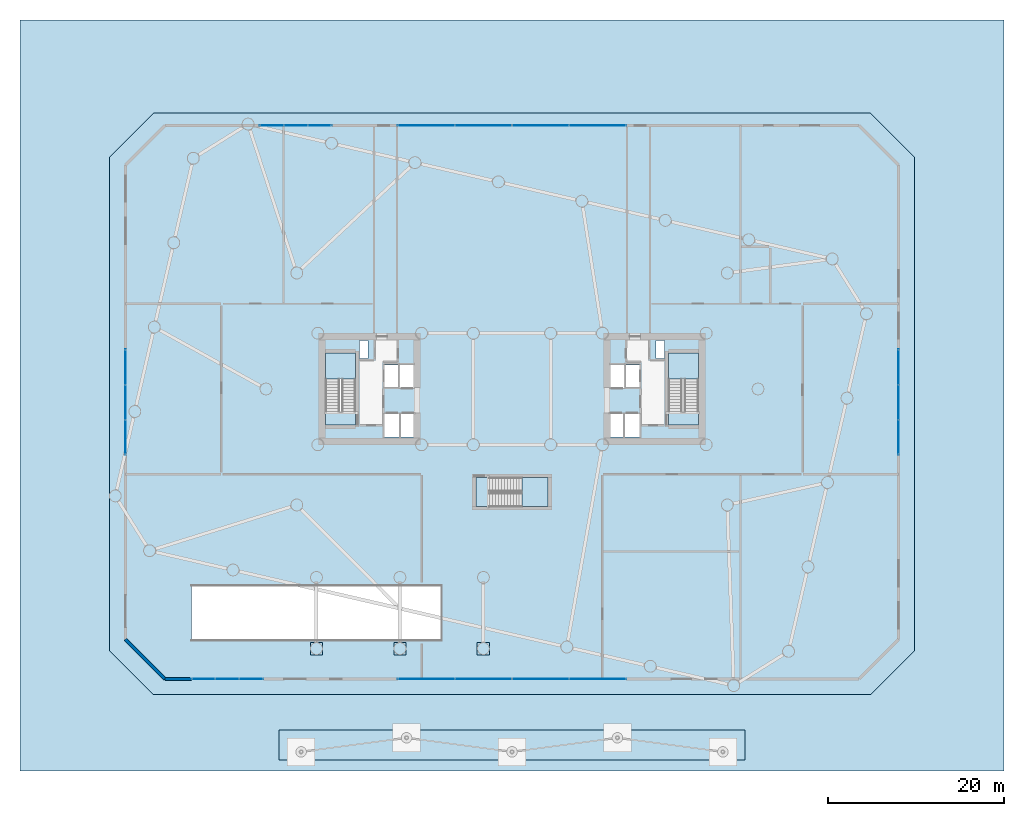
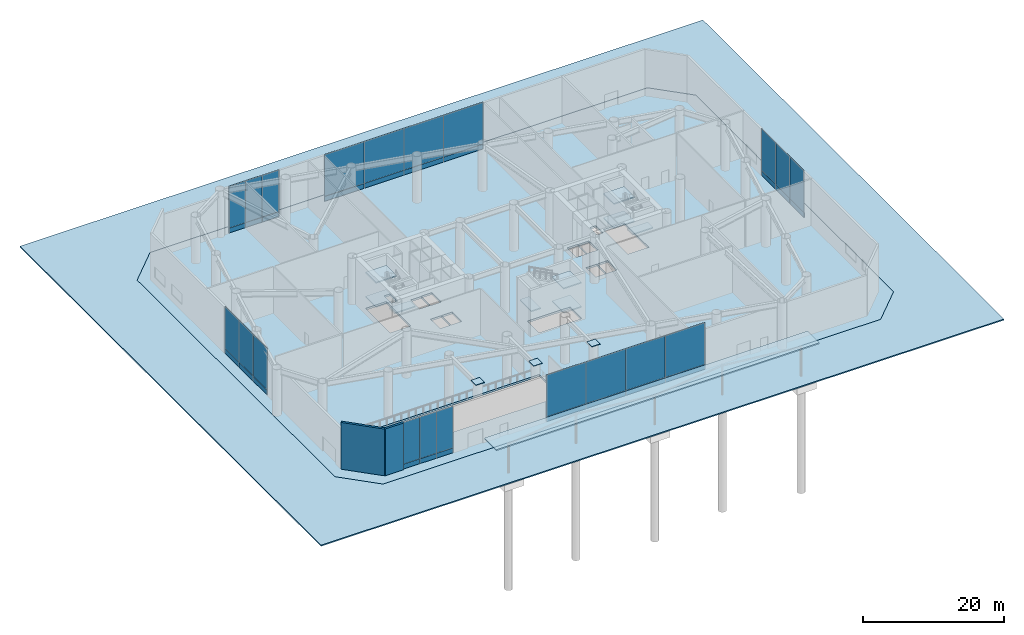
# One storey, part 19 of 28: 43 plates, 12 slabs, 2 walls, 9 elements without a shape of their own.
"""IFC4 building model written with IfcOpenShell, lengths in metres."""

import ifcopenshell
import ifcopenshell.guid

model = None  # the IFC model being written
_history = None  # IfcOwnerHistory: only IFC2X3 demands one
_inside = {}  # id of a spatial element -> (the spatial element, [elements in it])
_under = {}  # id of a project, library or spatial element -> (it, [spatial elements below it])
_declared = {}  # id of a project -> (the project, [libraries it declares])
_typed = {}  # id of a type object -> (the type object, [elements of that type])
_made_of = {}  # id of a material, layer set ... -> (it, [elements and type objects made of it])


def new_model(schema):
    """Start an empty IFC model of exactly this schema.

    Asked for "IFC4X3", IfcOpenShell would pick the latest addendum, in which some entities
    have other attributes; the version numbers below select the first issue.
    IFC2X3 requires an IfcOwnerHistory on every rooted entity: one is made here for all.
    """
    global model, _history
    if schema == "IFC4X3":
        model = ifcopenshell.file(schema_version=(4, 3, 0, 0))
    else:
        model = ifcopenshell.file(schema=schema)
    _inside.clear()
    _under.clear()
    _declared.clear()
    _typed.clear()
    _made_of.clear()
    _history = None
    if model.schema == "IFC2X3":
        org = make("IfcOrganization", Name="unknown")
        user = make(
            "IfcPersonAndOrganization",
            ThePerson=make("IfcPerson", FamilyName="unknown"),
            TheOrganization=org,
        )
        app = make(
            "IfcApplication",
            ApplicationDeveloper=org,
            Version="unknown",
            ApplicationFullName="unknown",
            ApplicationIdentifier="unknown",
        )
        _history = make(
            "IfcOwnerHistory",
            OwningUser=user,
            OwningApplication=app,
            ChangeAction="ADDED",
            CreationDate=0,
        )
    return model


def make(cls, **values):
    """One entity of the class cls with the attributes given. An attribute that is None is left unset."""
    return model.create_entity(
        cls, **{name: value for name, value in values.items() if value is not None}
    )


def rooted(cls, **values):
    """An entity with a GlobalId (a new one), such as an element, a storey or a relation."""
    return make(cls, GlobalId=ifcopenshell.guid.new(), OwnerHistory=_history, **values)


def si_unit(unit_type, name, prefix=None):
    """IfcSIUnit, for example si_unit("LENGTHUNIT", "METRE", prefix="MILLI")."""
    return make("IfcSIUnit", UnitType=unit_type, Prefix=prefix, Name=name)


def assignment(units):
    """IfcUnitAssignment: the units of a project."""
    return None if units is None else make("IfcUnitAssignment", Units=units)


def point(xyz):
    """IfcCartesianPoint."""
    return None if xyz is None else make("IfcCartesianPoint", Coordinates=xyz)


def direction(xyz):
    """IfcDirection."""
    return None if xyz is None else make("IfcDirection", DirectionRatios=xyz)


def frame(location, z_axis=None, x_axis=None):
    """IfcAxis2Placement3D, a coordinate frame: its origin and axes. An axis left out is left unset."""
    return make(
        "IfcAxis2Placement3D",
        Location=point(location),
        Axis=direction(z_axis),
        RefDirection=direction(x_axis),
    )


def frame_2d(location, x_axis=None):
    """IfcAxis2Placement2D, a coordinate frame in the plane: its origin and x axis."""
    return make(
        "IfcAxis2Placement2D", Location=point(location), RefDirection=direction(x_axis)
    )


def origin():
    """The frame at (0, 0, 0) with its axes left unset."""
    return frame((0.0, 0.0, 0.0))


def origin_2d():
    """The frame at (0, 0) in the plane with its x axis left unset."""
    return frame_2d((0.0, 0.0))


def place(relative_to, where):
    """IfcLocalPlacement: puts the frame where relative to a parent placement (None: the world)."""
    return make(
        "IfcLocalPlacement", PlacementRelTo=relative_to, RelativePlacement=where
    )


def context(
    kind, dimensions, precision=None, world=None, true_north=None, identifier=None
):
    """IfcGeometricRepresentationContext, for example the 3D "Model" context."""
    return make(
        "IfcGeometricRepresentationContext",
        ContextIdentifier=identifier,
        ContextType=kind,
        CoordinateSpaceDimension=dimensions,
        Precision=precision,
        WorldCoordinateSystem=world,
        TrueNorth=true_north,
    )


def subcontext(parent, identifier, kind, view, scale=None):
    """IfcGeometricRepresentationSubContext, for example "Body" below "Model"."""
    return make(
        "IfcGeometricRepresentationSubContext",
        ContextIdentifier=identifier,
        ContextType=kind,
        ParentContext=parent,
        TargetScale=scale,
        TargetView=view,
    )


def project(units=None, contexts=None):
    """IfcProject with its units and contexts."""
    return rooted(
        "IfcProject",
        Name="project",
        RepresentationContexts=contexts,
        UnitsInContext=assignment(units),
    )


def spatial(cls, under=None, at=None, **own):
    """A site, building, storey or space (cls), placed at a placement, below another one or the project."""
    s = rooted(cls, ObjectPlacement=at, **own)
    if under is not None:
        _under.setdefault(under.id(), (under, []))[1].append(s)
    return s


def polyline(points):
    """IfcPolyline through the points."""
    return make("IfcPolyline", Points=[point(p) for p in points])


def profile(cls, at=None, kind="AREA", **sizes):
    """A parametric profile (cls). Its sizes go by their IFC names, for example OverallWidth=200.0."""
    return make(cls, ProfileType=kind, Position=at, **sizes)


def rectangle(**sizes):
    """IfcRectangleProfileDef."""
    return profile("IfcRectangleProfileDef", **sizes)


def outline(outer, holes=None, kind="AREA"):
    """IfcArbitraryClosedProfileDef: a profile drawn as a closed curve; with holes, ...WithVoids."""
    if holes is None:
        return make("IfcArbitraryClosedProfileDef", ProfileType=kind, OuterCurve=outer)
    return make(
        "IfcArbitraryProfileDefWithVoids",
        ProfileType=kind,
        OuterCurve=outer,
        InnerCurves=holes,
    )


def extrude(swept, where, along, depth):
    """IfcExtrudedAreaSolid: the profile swept, set in the frame where, extruded along a direction by depth."""
    return make(
        "IfcExtrudedAreaSolid",
        SweptArea=swept,
        Position=where,
        ExtrudedDirection=direction(along),
        Depth=depth,
    )


def shape(context_of_items, identifier, shape_type, items):
    """IfcShapeRepresentation: the items that make up one representation, for example the "Body"."""
    return make(
        "IfcShapeRepresentation",
        ContextOfItems=context_of_items,
        RepresentationIdentifier=identifier,
        RepresentationType=shape_type,
        Items=items,
    )


def material(Name=None, Category=None):
    """IfcMaterial."""
    return make("IfcMaterial", Name=Name, Category=Category)


def layer(
    of_material, thickness, ventilated=None, Name=None, Category=None, Priority=None
):
    """IfcMaterialLayer: one layer of a wall or slab, of a material (None: an air gap)."""
    return make(
        "IfcMaterialLayer",
        Material=of_material,
        LayerThickness=thickness,
        IsVentilated=ventilated,
        Name=Name,
        Category=Category,
        Priority=Priority,
    )


def layer_set(layers, Name=None):
    """IfcMaterialLayerSet."""
    return make("IfcMaterialLayerSet", MaterialLayers=layers, LayerSetName=Name)


def made_of(thing, what):
    """Note that an element or type object is made of a material, layer set ...; save() writes the relation."""
    if what is not None:
        _made_of.setdefault(what.id(), (what, []))[1].append(thing)
    return thing


def type_object(cls, material=None, **own):
    """A type object (cls), such as IfcWallType, which elements share."""
    return made_of(rooted(cls, **own), material)


def element(
    cls,
    number,
    at=None,
    inside=None,
    cuts=None,
    type_object=None,
    material=None,
    context=None,
    identifier="Body",
    shape_type=None,
    held_by="IfcProductDefinitionShape",
    body=None,
    shapes=None,
    **own,
):
    """One element of the class cls, such as IfcWall. Its Tag is "e" and its number.

    at: its placement. inside: the storey or other place that contains it. cuts: it is an
    opening in that element (IfcRelVoidsElement). A single representation is given by context,
    identifier, shape_type and body (its items); several are given by shapes. held_by: the class
    of the entity that holds the representations. save() writes the other relations.
    """
    e = rooted(cls, Tag="e%d" % number, ObjectPlacement=at, **own)
    if body is not None:
        shapes = [shape(context, identifier, shape_type, body)]
    if shapes is not None:
        e.Representation = make(held_by, Representations=shapes)
    if inside is not None:
        _inside.setdefault(inside.id(), (inside, []))[1].append(e)
    if cuts is not None:
        rooted(
            "IfcRelVoidsElement", RelatingBuildingElement=cuts, RelatedOpeningElement=e
        )
    if type_object is not None:
        _typed.setdefault(type_object.id(), (type_object, []))[1].append(e)
    return made_of(e, material)


def aggregate(whole, parts):
    """IfcRelAggregates: a whole, such as a stair, and the parts it consists of."""
    return rooted("IfcRelAggregates", RelatingObject=whole, RelatedObjects=parts)


def save(model, path):
    """Write the relations noted so far, then the file.

    IfcRelAggregates (storeys below a building ...), IfcRelContainedInSpatialStructure (elements
    in a storey), IfcRelDefinesByType, IfcRelAssociatesMaterial and IfcRelDeclares: one each for
    every whole, place, type object, material and project.
    """
    for whole, parts in _under.values():
        aggregate(whole, parts)
    for where, things in _inside.values():
        rooted(
            "IfcRelContainedInSpatialStructure",
            RelatedElements=things,
            RelatingStructure=where,
        )
    for kind, things in _typed.values():
        rooted("IfcRelDefinesByType", RelatedObjects=things, RelatingType=kind)
    for what, things in _made_of.values():
        rooted("IfcRelAssociatesMaterial", RelatedObjects=things, RelatingMaterial=what)
    for by, libraries in _declared.values():
        rooted("IfcRelDeclares", RelatingContext=by, RelatedDefinitions=libraries)
    model.write(path)


model = new_model("IFC4")

# Units and contexts
model_context = context("Model", 3, precision=1e-05, world=origin(), true_north=direction((0.0, 1.0)))
body_context = subcontext(model_context, "Body", "Model", "MODEL_VIEW")
ifc_project = project(units=[si_unit("LENGTHUNIT", "METRE"), si_unit("AREAUNIT", "SQUARE_METRE"), si_unit("VOLUMEUNIT", "CUBIC_METRE"), si_unit("PLANEANGLEUNIT", "RADIAN"), si_unit("MASSUNIT", "GRAM", prefix="KILO")], contexts=[model_context])

# Site, building, storey
site_placement = place(None, origin())
site = spatial("IfcSite", under=ifc_project, at=site_placement, CompositionType="ELEMENT")
building_placement = place(site_placement, origin())
building = spatial("IfcBuilding", under=site, at=building_placement, Name="Tavrogorsk Clinical Tower", CompositionType="ELEMENT")
storey_placement = place(building_placement, origin())
storey = spatial("IfcBuildingStorey", under=building, at=storey_placement, Name="L00", CompositionType="ELEMENT", Elevation=0.0)

# Slab
ifc_material_1 = material(Name="Structural steel S355 and aluminium soffit canopy", Category="steel")
ifc_layer_1 = layer(ifc_material_1, 0.219970703125)
ifc_layer_set_1 = layer_set([ifc_layer_1], Name="Structural steel S355 and aluminium soffit canopy")
slab_type_1 = type_object("IfcSlabType", Name="CanopyRoofSlab_220", PredefinedType="ROOF", material=ifc_layer_set_1)
slab_1_placement = place(storey_placement, frame((0.0, 0.0, 5.199951171875)))
element("IfcSlab", 1, at=slab_1_placement, inside=storey, type_object=slab_type_1, Name="South Ambulance & Patient Drop-Off Canopy", PredefinedType="ROOF", context=body_context, shape_type="SweptSolid", body=[
    extrude(outline(polyline([(-26.5, -42.199951171875), (26.5, -42.199951171875), (26.5, -38.800048828125), (-26.5, -38.800048828125), (-26.5, -42.199951171875)])), origin(), (0.0, 0.0, 1.0), 0.219970703125),
])

# Curtain wall, plates
ifc_material_2 = material(Name="Anodised aluminium and triple IGU glazing", Category="aluminium")
ifc_layer_2 = layer(ifc_material_2, 0.179931640625)
ifc_layer_set_2 = layer_set([ifc_layer_2], Name="Anodised aluminium and triple IGU glazing")
curtain_wall_type = type_object("IfcCurtainWallType", Name="CW1_LobbyStick", PredefinedType="NOTDEFINED", material=ifc_layer_set_2)
curtain_wall_1_placement = place(storey_placement, origin())
curtain_wall_1 = element("IfcCurtainWall", 2, at=curtain_wall_1_placement, inside=storey, type_object=curtain_wall_type, Name="L00 Curtain Wall CW-L00-S1", PredefinedType="NOTDEFINED")
ifc_material_3 = material(Name="Honed Podolsk limestone spandrel panel", Category="masonry")
ifc_layer_3 = layer(ifc_material_3, 0.080078125)
ifc_layer_set_3 = layer_set([ifc_layer_3], Name="Honed Podolsk limestone spandrel panel")
plate_type_1 = type_object("IfcPlateType", Name="CwSpandrelStonePanel_80", PredefinedType="CURTAIN_PANEL", material=ifc_layer_set_3)
plate_1_placement = place(storey_placement, frame((-9.759033203125, -33.0, 0.001953125), z_axis=(0.0, 0.0, 1.0), x_axis=(1.0, 0.0, 0.0)))
plate_1 = element("IfcPlate", 3, at=plate_1_placement, type_object=plate_type_1, Name="CW-L00-S1 Stone Spandrel Panel 1", PredefinedType="CURTAIN_PANEL", context=body_context, shape_type="SweptSolid", body=[
    extrude(rectangle(XDim=6.489990234375, YDim=0.080078125, at=origin_2d()), origin(), (0.0, 0.0, 1.0), 0.8359375),
])
plate_2_placement = place(storey_placement, frame((-3.2509765625, -33.0, 0.001953125), z_axis=(0.0, 0.0, 1.0), x_axis=(1.0, 0.0, 0.0)))
plate_2 = element("IfcPlate", 4, at=plate_2_placement, type_object=plate_type_1, Name="CW-L00-S1 Stone Spandrel Panel 2", PredefinedType="CURTAIN_PANEL", context=body_context, shape_type="SweptSolid", body=[
    extrude(rectangle(XDim=6.47802734375, YDim=0.080078125, at=origin_2d()), origin(), (0.0, 0.0, 1.0), 0.8359375),
])
plate_3_placement = place(storey_placement, frame((3.2509765625, -33.0, 0.001953125), z_axis=(0.0, 0.0, 1.0), x_axis=(1.0, 0.0, 0.0)))
plate_3 = element("IfcPlate", 5, at=plate_3_placement, type_object=plate_type_1, Name="CW-L00-S1 Stone Spandrel Panel 3", PredefinedType="CURTAIN_PANEL", context=body_context, shape_type="SweptSolid", body=[
    extrude(rectangle(XDim=6.47802734375, YDim=0.080078125, at=origin_2d()), origin(), (0.0, 0.0, 1.0), 0.8359375),
])
plate_4_placement = place(storey_placement, frame((9.759033203125, -33.0, 0.001953125), z_axis=(0.0, 0.0, 1.0), x_axis=(1.0, 0.0, 0.0)))
plate_4 = element("IfcPlate", 6, at=plate_4_placement, type_object=plate_type_1, Name="CW-L00-S1 Stone Spandrel Panel 4", PredefinedType="CURTAIN_PANEL", context=body_context, shape_type="SweptSolid", body=[
    extrude(rectangle(XDim=6.489990234375, YDim=0.080078125, at=origin_2d()), origin(), (0.0, 0.0, 1.0), 0.8359375),
])

curtain_wall_2_placement = place(storey_placement, origin())
curtain_wall_2 = element("IfcCurtainWall", 7, at=curtain_wall_2_placement, inside=storey, type_object=curtain_wall_type, Name="L00 Curtain Wall CW-L00-S2", PredefinedType="NOTDEFINED")
plate_5_placement = place(storey_placement, frame((-35.14208984375, -33.0, 0.001953125), z_axis=(0.0, 0.0, 1.0), x_axis=(1.0, 0.0, 0.0)))
plate_5 = element("IfcPlate", 8, at=plate_5_placement, type_object=plate_type_1, Name="CW-L00-S2 Stone Spandrel Panel 1", PredefinedType="CURTAIN_PANEL", context=body_context, shape_type="SweptSolid", body=[
    extrude(rectangle(XDim=2.72412109375, YDim=0.080078125, at=origin_2d()), origin(), (0.0, 0.0, 1.0), 0.8359375),
])
plate_6_placement = place(storey_placement, frame((-32.39990234375, -33.0, 0.001953125), z_axis=(0.0, 0.0, 1.0), x_axis=(1.0, 0.0, 0.0)))
plate_6 = element("IfcPlate", 9, at=plate_6_placement, type_object=plate_type_1, Name="CW-L00-S2 Stone Spandrel Panel 2", PredefinedType="CURTAIN_PANEL", context=body_context, shape_type="SweptSolid", body=[
    extrude(rectangle(XDim=2.7119140625, YDim=0.080078125, at=origin_2d()), origin(), (0.0, 0.0, 1.0), 0.8359375),
])
plate_7_placement = place(storey_placement, frame((-29.657958984375, -33.0, 0.001953125), z_axis=(0.0, 0.0, 1.0), x_axis=(1.0, 0.0, 0.0)))
plate_7 = element("IfcPlate", 10, at=plate_7_placement, type_object=plate_type_1, Name="CW-L00-S2 Stone Spandrel Panel 3", PredefinedType="CURTAIN_PANEL", context=body_context, shape_type="SweptSolid", body=[
    extrude(rectangle(XDim=2.72412109375, YDim=0.080078125, at=origin_2d()), origin(), (0.0, 0.0, 1.0), 0.8359375),
])

curtain_wall_3_placement = place(storey_placement, origin())
curtain_wall_3 = element("IfcCurtainWall", 11, at=curtain_wall_3_placement, inside=storey, type_object=curtain_wall_type, Name="L00 Curtain Wall CW-L00-E1", PredefinedType="NOTDEFINED")
plate_8_placement = place(storey_placement, frame((44.0, -5.5087890625, 0.001953125), z_axis=(0.0, 0.0, 1.0), x_axis=(0.0, 1.0, 0.0)))
plate_8 = element("IfcPlate", 12, at=plate_8_placement, type_object=plate_type_1, Name="CW-L00-E1 Stone Spandrel Panel 1", PredefinedType="CURTAIN_PANEL", context=body_context, shape_type="SweptSolid", body=[
    extrude(rectangle(XDim=3.99072265625, YDim=0.080078125, at=origin_2d()), origin(), (0.0, 0.0, 1.0), 0.8359375),
])
plate_9_placement = place(storey_placement, frame((44.0, -1.5, 0.001953125), z_axis=(0.0, 0.0, 1.0), x_axis=(0.0, 1.0, 0.0)))
plate_9 = element("IfcPlate", 13, at=plate_9_placement, type_object=plate_type_1, Name="CW-L00-E1 Stone Spandrel Panel 2", PredefinedType="CURTAIN_PANEL", context=body_context, shape_type="SweptSolid", body=[
    extrude(rectangle(XDim=3.978759765625, YDim=0.080078125, at=origin_2d()), origin(), (0.0, 0.0, 1.0), 0.8359375),
])
plate_10_placement = place(storey_placement, frame((44.0, 2.5087890625, 0.001953125), z_axis=(0.0, 0.0, 1.0), x_axis=(0.0, 1.0, 0.0)))
plate_10 = element("IfcPlate", 14, at=plate_10_placement, type_object=plate_type_1, Name="CW-L00-E1 Stone Spandrel Panel 3", PredefinedType="CURTAIN_PANEL", context=body_context, shape_type="SweptSolid", body=[
    extrude(rectangle(XDim=3.99072265625, YDim=0.080078125, at=origin_2d()), origin(), (0.0, 0.0, 1.0), 0.8359375),
])

curtain_wall_4_placement = place(storey_placement, origin())
curtain_wall_4 = element("IfcCurtainWall", 15, at=curtain_wall_4_placement, inside=storey, type_object=curtain_wall_type, Name="L00 Curtain Wall CW-L00-N1", PredefinedType="NOTDEFINED")
plate_11_placement = place(storey_placement, frame((9.759033203125, 30.0, 0.001953125), z_axis=(0.0, 0.0, 1.0), x_axis=(-1.0, 0.0, 0.0)))
plate_11 = element("IfcPlate", 16, at=plate_11_placement, type_object=plate_type_1, Name="CW-L00-N1 Stone Spandrel Panel 1", PredefinedType="CURTAIN_PANEL", context=body_context, shape_type="SweptSolid", body=[
    extrude(rectangle(XDim=6.489990234375, YDim=0.080078125, at=origin_2d()), origin(), (0.0, 0.0, 1.0), 0.8359375),
])
plate_12_placement = place(storey_placement, frame((3.2509765625, 30.0, 0.001953125), z_axis=(0.0, 0.0, 1.0), x_axis=(-1.0, 0.0, 0.0)))
plate_12 = element("IfcPlate", 17, at=plate_12_placement, type_object=plate_type_1, Name="CW-L00-N1 Stone Spandrel Panel 2", PredefinedType="CURTAIN_PANEL", context=body_context, shape_type="SweptSolid", body=[
    extrude(rectangle(XDim=6.47802734375, YDim=0.080078125, at=origin_2d()), origin(), (0.0, 0.0, 1.0), 0.8359375),
])
plate_13_placement = place(storey_placement, frame((-3.2509765625, 30.0, 0.001953125), z_axis=(0.0, 0.0, 1.0), x_axis=(-1.0, 0.0, 0.0)))
plate_13 = element("IfcPlate", 18, at=plate_13_placement, type_object=plate_type_1, Name="CW-L00-N1 Stone Spandrel Panel 3", PredefinedType="CURTAIN_PANEL", context=body_context, shape_type="SweptSolid", body=[
    extrude(rectangle(XDim=6.47802734375, YDim=0.080078125, at=origin_2d()), origin(), (0.0, 0.0, 1.0), 0.8359375),
])
plate_14_placement = place(storey_placement, frame((-9.759033203125, 30.0, 0.001953125), z_axis=(0.0, 0.0, 1.0), x_axis=(-1.0, 0.0, 0.0)))
plate_14 = element("IfcPlate", 19, at=plate_14_placement, type_object=plate_type_1, Name="CW-L00-N1 Stone Spandrel Panel 4", PredefinedType="CURTAIN_PANEL", context=body_context, shape_type="SweptSolid", body=[
    extrude(rectangle(XDim=6.489990234375, YDim=0.080078125, at=origin_2d()), origin(), (0.0, 0.0, 1.0), 0.8359375),
])

curtain_wall_5_placement = place(storey_placement, origin())
curtain_wall_5 = element("IfcCurtainWall", 20, at=curtain_wall_5_placement, inside=storey, type_object=curtain_wall_type, Name="L00 Curtain Wall CW-L00-N2", PredefinedType="NOTDEFINED")
plate_15_placement = place(storey_placement, frame((-21.85791015625, 30.0, 0.001953125), z_axis=(0.0, 0.0, 1.0), x_axis=(-1.0, 0.0, 0.0)))
plate_15 = element("IfcPlate", 21, at=plate_15_placement, type_object=plate_type_1, Name="CW-L00-N2 Stone Spandrel Panel 1", PredefinedType="CURTAIN_PANEL", context=body_context, shape_type="SweptSolid", body=[
    extrude(rectangle(XDim=2.72412109375, YDim=0.080078125, at=origin_2d()), origin(), (0.0, 0.0, 1.0), 0.8359375),
])
plate_16_placement = place(storey_placement, frame((-24.60009765625, 30.0, 0.001953125), z_axis=(0.0, 0.0, 1.0), x_axis=(-1.0, 0.0, 0.0)))
plate_16 = element("IfcPlate", 22, at=plate_16_placement, type_object=plate_type_1, Name="CW-L00-N2 Stone Spandrel Panel 2", PredefinedType="CURTAIN_PANEL", context=body_context, shape_type="SweptSolid", body=[
    extrude(rectangle(XDim=2.7119140625, YDim=0.080078125, at=origin_2d()), origin(), (0.0, 0.0, 1.0), 0.8359375),
])
plate_17_placement = place(storey_placement, frame((-27.342041015625, 30.0, 0.001953125), z_axis=(0.0, 0.0, 1.0), x_axis=(-1.0, 0.0, 0.0)))
plate_17 = element("IfcPlate", 23, at=plate_17_placement, type_object=plate_type_1, Name="CW-L00-N2 Stone Spandrel Panel 3", PredefinedType="CURTAIN_PANEL", context=body_context, shape_type="SweptSolid", body=[
    extrude(rectangle(XDim=2.72412109375, YDim=0.080078125, at=origin_2d()), origin(), (0.0, 0.0, 1.0), 0.8359375),
])

curtain_wall_6_placement = place(storey_placement, origin())
curtain_wall_6 = element("IfcCurtainWall", 24, at=curtain_wall_6_placement, inside=storey, type_object=curtain_wall_type, Name="L00 Curtain Wall CW-L00-W1", PredefinedType="NOTDEFINED")
plate_18_placement = place(storey_placement, frame((-44.0, 2.5087890625, 0.001953125), z_axis=(0.0, 0.0, 1.0), x_axis=(0.0, -1.0, 0.0)))
plate_18 = element("IfcPlate", 25, at=plate_18_placement, type_object=plate_type_1, Name="CW-L00-W1 Stone Spandrel Panel 1", PredefinedType="CURTAIN_PANEL", context=body_context, shape_type="SweptSolid", body=[
    extrude(rectangle(XDim=3.99072265625, YDim=0.080078125, at=origin_2d()), origin(), (0.0, 0.0, 1.0), 0.8359375),
])
plate_19_placement = place(storey_placement, frame((-44.0, -1.5, 0.001953125), z_axis=(0.0, 0.0, 1.0), x_axis=(0.0, -1.0, 0.0)))
plate_19 = element("IfcPlate", 26, at=plate_19_placement, type_object=plate_type_1, Name="CW-L00-W1 Stone Spandrel Panel 2", PredefinedType="CURTAIN_PANEL", context=body_context, shape_type="SweptSolid", body=[
    extrude(rectangle(XDim=3.978759765625, YDim=0.080078125, at=origin_2d()), origin(), (0.0, 0.0, 1.0), 0.8359375),
])
plate_20_placement = place(storey_placement, frame((-44.0, -5.5087890625, 0.001953125), z_axis=(0.0, 0.0, 1.0), x_axis=(0.0, -1.0, 0.0)))
plate_20 = element("IfcPlate", 27, at=plate_20_placement, type_object=plate_type_1, Name="CW-L00-W1 Stone Spandrel Panel 3", PredefinedType="CURTAIN_PANEL", context=body_context, shape_type="SweptSolid", body=[
    extrude(rectangle(XDim=3.99072265625, YDim=0.080078125, at=origin_2d()), origin(), (0.0, 0.0, 1.0), 0.8359375),
])

# Plate
ifc_material_4 = material(Name="Triple low-E argon insulated glass", Category="glass")
ifc_layer_4 = layer(ifc_material_4, 0.048095703125)
ifc_layer_set_4 = layer_set([ifc_layer_4], Name="Triple low-E argon insulated glass")
plate_type_2 = type_object("IfcPlateType", Name="CwVisionGlassPanel_48", PredefinedType="CURTAIN_PANEL", material=ifc_layer_set_4)
plate_21_placement = place(storey_placement, frame((-9.759033203125, -33.0, 0.86181640625), z_axis=(0.0, 0.0, 1.0), x_axis=(1.0, 0.0, 0.0)))
plate_21 = element("IfcPlate", 28, at=plate_21_placement, type_object=plate_type_2, Name="CW-L00-S1 Glazing Panel 1", PredefinedType="CURTAIN_PANEL", context=body_context, shape_type="SweptSolid", body=[
    extrude(rectangle(XDim=6.489990234375, YDim=0.048095703125, at=origin_2d()), origin(), (0.0, 0.0, 1.0), 7.236083984375),
])

plate_22_placement = place(storey_placement, frame((-3.2509765625, -33.0, 0.86181640625), z_axis=(0.0, 0.0, 1.0), x_axis=(1.0, 0.0, 0.0)))
plate_22 = element("IfcPlate", 29, at=plate_22_placement, type_object=plate_type_2, Name="CW-L00-S1 Glazing Panel 2", PredefinedType="CURTAIN_PANEL", context=body_context, shape_type="SweptSolid", body=[
    extrude(rectangle(XDim=6.47802734375, YDim=0.048095703125, at=origin_2d()), origin(), (0.0, 0.0, 1.0), 7.236083984375),
])

plate_23_placement = place(storey_placement, frame((3.2509765625, -33.0, 0.86181640625), z_axis=(0.0, 0.0, 1.0), x_axis=(1.0, 0.0, 0.0)))
plate_23 = element("IfcPlate", 30, at=plate_23_placement, type_object=plate_type_2, Name="CW-L00-S1 Glazing Panel 3", PredefinedType="CURTAIN_PANEL", context=body_context, shape_type="SweptSolid", body=[
    extrude(rectangle(XDim=6.47802734375, YDim=0.048095703125, at=origin_2d()), origin(), (0.0, 0.0, 1.0), 7.236083984375),
])

plate_24_placement = place(storey_placement, frame((9.759033203125, -33.0, 0.86181640625), z_axis=(0.0, 0.0, 1.0), x_axis=(1.0, 0.0, 0.0)))
plate_24 = element("IfcPlate", 31, at=plate_24_placement, type_object=plate_type_2, Name="CW-L00-S1 Glazing Panel 4", PredefinedType="CURTAIN_PANEL", context=body_context, shape_type="SweptSolid", body=[
    extrude(rectangle(XDim=6.489990234375, YDim=0.048095703125, at=origin_2d()), origin(), (0.0, 0.0, 1.0), 7.236083984375),
])

aggregate(curtain_wall_1, [plate_1, plate_21, plate_2, plate_22, plate_3, plate_23, plate_4, plate_24])

plate_25_placement = place(storey_placement, frame((-35.14208984375, -33.0, 0.86181640625), z_axis=(0.0, 0.0, 1.0), x_axis=(1.0, 0.0, 0.0)))
plate_25 = element("IfcPlate", 32, at=plate_25_placement, type_object=plate_type_2, Name="CW-L00-S2 Glazing Panel 1", PredefinedType="CURTAIN_PANEL", context=body_context, shape_type="SweptSolid", body=[
    extrude(rectangle(XDim=2.72412109375, YDim=0.048095703125, at=origin_2d()), origin(), (0.0, 0.0, 1.0), 7.236083984375),
])

plate_26_placement = place(storey_placement, frame((-32.39990234375, -33.0, 0.86181640625), z_axis=(0.0, 0.0, 1.0), x_axis=(1.0, 0.0, 0.0)))
plate_26 = element("IfcPlate", 33, at=plate_26_placement, type_object=plate_type_2, Name="CW-L00-S2 Glazing Panel 2", PredefinedType="CURTAIN_PANEL", context=body_context, shape_type="SweptSolid", body=[
    extrude(rectangle(XDim=2.7119140625, YDim=0.048095703125, at=origin_2d()), origin(), (0.0, 0.0, 1.0), 7.236083984375),
])

plate_27_placement = place(storey_placement, frame((-29.657958984375, -33.0, 0.86181640625), z_axis=(0.0, 0.0, 1.0), x_axis=(1.0, 0.0, 0.0)))
plate_27 = element("IfcPlate", 34, at=plate_27_placement, type_object=plate_type_2, Name="CW-L00-S2 Glazing Panel 3", PredefinedType="CURTAIN_PANEL", context=body_context, shape_type="SweptSolid", body=[
    extrude(rectangle(XDim=2.72412109375, YDim=0.048095703125, at=origin_2d()), origin(), (0.0, 0.0, 1.0), 7.236083984375),
])

aggregate(curtain_wall_2, [plate_5, plate_25, plate_6, plate_26, plate_7, plate_27])

plate_28_placement = place(storey_placement, frame((44.0, -5.5087890625, 0.86181640625), z_axis=(0.0, 0.0, 1.0), x_axis=(0.0, 1.0, 0.0)))
plate_28 = element("IfcPlate", 35, at=plate_28_placement, type_object=plate_type_2, Name="CW-L00-E1 Glazing Panel 1", PredefinedType="CURTAIN_PANEL", context=body_context, shape_type="SweptSolid", body=[
    extrude(rectangle(XDim=3.99072265625, YDim=0.048095703125, at=origin_2d()), origin(), (0.0, 0.0, 1.0), 7.236083984375),
])

plate_29_placement = place(storey_placement, frame((44.0, -1.5, 0.86181640625), z_axis=(0.0, 0.0, 1.0), x_axis=(0.0, 1.0, 0.0)))
plate_29 = element("IfcPlate", 36, at=plate_29_placement, type_object=plate_type_2, Name="CW-L00-E1 Glazing Panel 2", PredefinedType="CURTAIN_PANEL", context=body_context, shape_type="SweptSolid", body=[
    extrude(rectangle(XDim=3.978759765625, YDim=0.048095703125, at=origin_2d()), origin(), (0.0, 0.0, 1.0), 7.236083984375),
])

plate_30_placement = place(storey_placement, frame((44.0, 2.5087890625, 0.86181640625), z_axis=(0.0, 0.0, 1.0), x_axis=(0.0, 1.0, 0.0)))
plate_30 = element("IfcPlate", 37, at=plate_30_placement, type_object=plate_type_2, Name="CW-L00-E1 Glazing Panel 3", PredefinedType="CURTAIN_PANEL", context=body_context, shape_type="SweptSolid", body=[
    extrude(rectangle(XDim=3.99072265625, YDim=0.048095703125, at=origin_2d()), origin(), (0.0, 0.0, 1.0), 7.236083984375),
])

aggregate(curtain_wall_3, [plate_8, plate_28, plate_9, plate_29, plate_10, plate_30])

plate_31_placement = place(storey_placement, frame((9.759033203125, 30.0, 0.86181640625), z_axis=(0.0, 0.0, 1.0), x_axis=(-1.0, 0.0, 0.0)))
plate_31 = element("IfcPlate", 38, at=plate_31_placement, type_object=plate_type_2, Name="CW-L00-N1 Glazing Panel 1", PredefinedType="CURTAIN_PANEL", context=body_context, shape_type="SweptSolid", body=[
    extrude(rectangle(XDim=6.489990234375, YDim=0.048095703125, at=origin_2d()), origin(), (0.0, 0.0, 1.0), 7.236083984375),
])

plate_32_placement = place(storey_placement, frame((3.2509765625, 30.0, 0.86181640625), z_axis=(0.0, 0.0, 1.0), x_axis=(-1.0, 0.0, 0.0)))
plate_32 = element("IfcPlate", 39, at=plate_32_placement, type_object=plate_type_2, Name="CW-L00-N1 Glazing Panel 2", PredefinedType="CURTAIN_PANEL", context=body_context, shape_type="SweptSolid", body=[
    extrude(rectangle(XDim=6.47802734375, YDim=0.048095703125, at=origin_2d()), origin(), (0.0, 0.0, 1.0), 7.236083984375),
])

plate_33_placement = place(storey_placement, frame((-3.2509765625, 30.0, 0.86181640625), z_axis=(0.0, 0.0, 1.0), x_axis=(-1.0, 0.0, 0.0)))
plate_33 = element("IfcPlate", 40, at=plate_33_placement, type_object=plate_type_2, Name="CW-L00-N1 Glazing Panel 3", PredefinedType="CURTAIN_PANEL", context=body_context, shape_type="SweptSolid", body=[
    extrude(rectangle(XDim=6.47802734375, YDim=0.048095703125, at=origin_2d()), origin(), (0.0, 0.0, 1.0), 7.236083984375),
])

plate_34_placement = place(storey_placement, frame((-9.759033203125, 30.0, 0.86181640625), z_axis=(0.0, 0.0, 1.0), x_axis=(-1.0, 0.0, 0.0)))
plate_34 = element("IfcPlate", 41, at=plate_34_placement, type_object=plate_type_2, Name="CW-L00-N1 Glazing Panel 4", PredefinedType="CURTAIN_PANEL", context=body_context, shape_type="SweptSolid", body=[
    extrude(rectangle(XDim=6.489990234375, YDim=0.048095703125, at=origin_2d()), origin(), (0.0, 0.0, 1.0), 7.236083984375),
])

aggregate(curtain_wall_4, [plate_11, plate_31, plate_12, plate_32, plate_13, plate_33, plate_14, plate_34])

plate_35_placement = place(storey_placement, frame((-21.85791015625, 30.0, 0.86181640625), z_axis=(0.0, 0.0, 1.0), x_axis=(-1.0, 0.0, 0.0)))
plate_35 = element("IfcPlate", 42, at=plate_35_placement, type_object=plate_type_2, Name="CW-L00-N2 Glazing Panel 1", PredefinedType="CURTAIN_PANEL", context=body_context, shape_type="SweptSolid", body=[
    extrude(rectangle(XDim=2.72412109375, YDim=0.048095703125, at=origin_2d()), origin(), (0.0, 0.0, 1.0), 7.236083984375),
])

plate_36_placement = place(storey_placement, frame((-24.60009765625, 30.0, 0.86181640625), z_axis=(0.0, 0.0, 1.0), x_axis=(-1.0, 0.0, 0.0)))
plate_36 = element("IfcPlate", 43, at=plate_36_placement, type_object=plate_type_2, Name="CW-L00-N2 Glazing Panel 2", PredefinedType="CURTAIN_PANEL", context=body_context, shape_type="SweptSolid", body=[
    extrude(rectangle(XDim=2.7119140625, YDim=0.048095703125, at=origin_2d()), origin(), (0.0, 0.0, 1.0), 7.236083984375),
])

plate_37_placement = place(storey_placement, frame((-27.342041015625, 30.0, 0.86181640625), z_axis=(0.0, 0.0, 1.0), x_axis=(-1.0, 0.0, 0.0)))
plate_37 = element("IfcPlate", 44, at=plate_37_placement, type_object=plate_type_2, Name="CW-L00-N2 Glazing Panel 3", PredefinedType="CURTAIN_PANEL", context=body_context, shape_type="SweptSolid", body=[
    extrude(rectangle(XDim=2.72412109375, YDim=0.048095703125, at=origin_2d()), origin(), (0.0, 0.0, 1.0), 7.236083984375),
])

aggregate(curtain_wall_5, [plate_15, plate_35, plate_16, plate_36, plate_17, plate_37])

plate_38_placement = place(storey_placement, frame((-44.0, 2.5087890625, 0.86181640625), z_axis=(0.0, 0.0, 1.0), x_axis=(0.0, -1.0, 0.0)))
plate_38 = element("IfcPlate", 45, at=plate_38_placement, type_object=plate_type_2, Name="CW-L00-W1 Glazing Panel 1", PredefinedType="CURTAIN_PANEL", context=body_context, shape_type="SweptSolid", body=[
    extrude(rectangle(XDim=3.99072265625, YDim=0.048095703125, at=origin_2d()), origin(), (0.0, 0.0, 1.0), 7.236083984375),
])

plate_39_placement = place(storey_placement, frame((-44.0, -1.5, 0.86181640625), z_axis=(0.0, 0.0, 1.0), x_axis=(0.0, -1.0, 0.0)))
plate_39 = element("IfcPlate", 46, at=plate_39_placement, type_object=plate_type_2, Name="CW-L00-W1 Glazing Panel 2", PredefinedType="CURTAIN_PANEL", context=body_context, shape_type="SweptSolid", body=[
    extrude(rectangle(XDim=3.978759765625, YDim=0.048095703125, at=origin_2d()), origin(), (0.0, 0.0, 1.0), 7.236083984375),
])

plate_40_placement = place(storey_placement, frame((-44.0, -5.5087890625, 0.86181640625), z_axis=(0.0, 0.0, 1.0), x_axis=(0.0, -1.0, 0.0)))
plate_40 = element("IfcPlate", 47, at=plate_40_placement, type_object=plate_type_2, Name="CW-L00-W1 Glazing Panel 3", PredefinedType="CURTAIN_PANEL", context=body_context, shape_type="SweptSolid", body=[
    extrude(rectangle(XDim=3.99072265625, YDim=0.048095703125, at=origin_2d()), origin(), (0.0, 0.0, 1.0), 7.236083984375),
])

aggregate(curtain_wall_6, [plate_18, plate_38, plate_19, plate_39, plate_20, plate_40])

# Plates
ifc_material_5 = material(Name="Structural steel S440", Category="steel")
ifc_layer_5 = layer(ifc_material_5, 0.080078125)
ifc_layer_set_5 = layer_set([ifc_layer_5], Name="Structural steel S440")
plate_type_3 = type_object("IfcPlateType", Name="MastBasePlate_1400x1400x80", PredefinedType="USERDEFINED", material=ifc_layer_set_5)
for number, where, z_axis, x_axis, name in (
    (48, (-22.25390625, -29.550048828125, 8.080078125), (0.0, 0.0, 1.0), (1.0, 0.0, 0.0), "L00 Ramp Portal Stilt Cap Plate S3-S"),
    (49, (-12.755126953125, -29.550048828125, 8.080078125), (0.0, 0.0, 1.0), (1.0, 0.0, 0.0), "L00 Ramp Portal Stilt Cap Plate S4-S"),
    (50, (-3.25634765625, -29.550048828125, 8.080078125), (0.0, 0.0, 1.0), (1.0, 0.0, 0.0), "L00 Ramp Portal Stilt Cap Plate S5-S"),
):
    element("IfcPlate", number, at=place(storey_placement, frame(where, z_axis=z_axis, x_axis=x_axis)), inside=storey, type_object=plate_type_3, Name=name, ObjectType="BASE_PLATE", PredefinedType="USERDEFINED", context=body_context, shape_type="SweptSolid", body=[
        extrude(rectangle(XDim=1.39990234375, YDim=1.39990234375, at=origin_2d()), origin(), (0.0, 0.0, 1.0), 0.080078125),
    ])

# Slabs
ifc_material_6 = material(Name="Granite paving on Concrete B45", Category="masonry")
ifc_layer_6 = layer(ifc_material_6, 0.199951171875)
ifc_layer_set_6 = layer_set([ifc_layer_6], Name="Granite paving on Concrete B45")
slab_type_2 = type_object("IfcSlabType", Name="PlazaPaving_200", PredefinedType="USERDEFINED", material=ifc_layer_set_6)
slab_2_placement = place(storey_placement, frame((0.0, 0.0, -0.199951171875)))
element("IfcSlab", 51, at=slab_2_placement, inside=storey, type_object=slab_type_2, Name="Ground Public Plaza Granite Paving", ObjectType="PAVING", PredefinedType="USERDEFINED", context=body_context, shape_type="SweptSolid", body=[
    extrude(outline(polyline([(-56.0, -43.5), (56.0, -43.5), (56.0, 42.0), (-56.0, 42.0), (-56.0, -43.5)]), holes=[polyline([(-40.800048828125, -34.800048828125), (40.800048828125, -34.800048828125), (45.800048828125, -29.800048828125), (45.800048828125, 26.39990234375), (40.800048828125, 31.39990234375), (-40.800048828125, 31.39990234375), (-45.800048828125, 26.39990234375), (-45.800048828125, -29.800048828125), (-40.800048828125, -34.800048828125)])]), origin(), (0.0, 0.0, 1.0), 0.199951171875),
])
ifc_material_7 = material(Name="Concrete B60", Category="concrete")
ifc_layer_7 = layer(ifc_material_7, 0.35009765625)
ifc_layer_set_7 = layer_set([ifc_layer_7], Name="Concrete B60")
slab_type_3 = type_object("IfcSlabType", Name="PlazaSlab_350", PredefinedType="FLOOR", material=ifc_layer_set_7)
slab_3_placement = place(storey_placement, frame((0.0, 0.0, -0.35009765625)))
element("IfcSlab", 52, at=slab_3_placement, inside=storey, type_object=slab_type_3, Name="L00 Structural Slab", PredefinedType="FLOOR", context=body_context, shape_type="SweptSolid", body=[
    extrude(outline(polyline([(-40.800048828125, -34.800048828125), (40.800048828125, -34.800048828125), (45.800048828125, -29.800048828125), (45.800048828125, 26.39990234375), (40.800048828125, 31.39990234375), (-40.800048828125, 31.39990234375), (-45.800048828125, 26.39990234375), (-45.800048828125, -29.800048828125), (-40.800048828125, -34.800048828125)]), holes=[polyline([(-17.800048828125, -2.8798828125), (-17.800048828125, 4.125), (-21.199951171875, 4.125), (-21.199951171875, -2.8798828125), (-17.800048828125, -2.8798828125)]), polyline([(21.199951171875, -2.8798828125), (21.199951171875, 4.125), (17.800048828125, 4.125), (17.800048828125, -2.8798828125), (21.199951171875, -2.8798828125)]), polyline([(-2.8798828125, -13.39990234375), (4.125, -13.39990234375), (4.125, -10.10009765625), (-2.8798828125, -10.10009765625), (-2.8798828125, -13.39990234375)]), polyline([(-14.6201171875, 0.169921875), (-12.860107421875, 0.169921875), (-12.860107421875, 2.72998046875), (-14.6201171875, 2.72998046875), (-14.6201171875, 0.169921875)]), polyline([(-14.530029296875, -5.47998046875), (-12.77001953125, -5.47998046875), (-12.77001953125, -2.820068359375), (-14.530029296875, -2.820068359375), (-14.530029296875, -5.47998046875)]), polyline([(-12.72998046875, -5.47998046875), (-10.969970703125, -5.47998046875), (-10.969970703125, -2.820068359375), (-12.72998046875, -2.820068359375), (-12.72998046875, -5.47998046875)]), polyline([(-12.840087890625, 0.1201171875), (-11.080078125, 0.1201171875), (-11.080078125, 2.780029296875), (-12.840087890625, 2.780029296875), (-12.840087890625, 0.1201171875)]), polyline([(12.860107421875, 0.169921875), (14.6201171875, 0.169921875), (14.6201171875, 2.72998046875), (12.860107421875, 2.72998046875), (12.860107421875, 0.169921875)]), polyline([(12.77001953125, -5.47998046875), (14.530029296875, -5.47998046875), (14.530029296875, -2.820068359375), (12.77001953125, -2.820068359375), (12.77001953125, -5.47998046875)]), polyline([(10.969970703125, -5.47998046875), (12.72998046875, -5.47998046875), (12.72998046875, -2.820068359375), (10.969970703125, -2.820068359375), (10.969970703125, -5.47998046875)]), polyline([(11.080078125, 0.1201171875), (12.840087890625, 0.1201171875), (12.840087890625, 2.780029296875), (11.080078125, 2.780029296875), (11.080078125, 0.1201171875)]), polyline([(-17.3798828125, 3.449951171875), (-16.3798828125, 3.449951171875), (-16.3798828125, 5.5), (-17.3798828125, 5.5), (-17.3798828125, 3.449951171875)]), polyline([(16.3798828125, 3.449951171875), (17.3798828125, 3.449951171875), (17.3798828125, 5.5), (16.3798828125, 5.5), (16.3798828125, 3.449951171875)]), polyline([(-36.5, -28.60009765625), (-8.0, -28.60009765625), (-8.0, -22.39990234375), (-36.5, -22.39990234375), (-36.5, -28.60009765625)])]), origin(), (0.0, 0.0, 1.0), 0.35009765625),
])

# Stair, slabs
ifc_material_8 = material(Name="Concrete B60", Category="concrete")
stair_type = type_object("IfcStairType", Name="CoreStairAssembly", PredefinedType="HALF_TURN_STAIR", material=ifc_material_8)
stair_1_placement = place(storey_placement, origin())
stair_1 = element("IfcStair", 53, at=stair_1_placement, inside=storey, type_object=stair_type, Name="L00 ST-W", PredefinedType="HALF_TURN_STAIR")
ifc_material_9 = material(Name="Concrete B60", Category="concrete")
ifc_layer_8 = layer(ifc_material_9, 0.199951171875)
ifc_layer_set_8 = layer_set([ifc_layer_8], Name="Concrete B60")
slab_type_4 = type_object("IfcSlabType", Name="StairLanding_200", PredefinedType="LANDING", material=ifc_layer_set_8)
slab_4_placement = place(storey_placement, frame((0.0, 0.0, 1.89990234375)))
slab_4 = element("IfcSlab", 54, at=slab_4_placement, type_object=slab_type_4, Name="ST-W landing 1", PredefinedType="LANDING", context=body_context, shape_type="SweptSolid", body=[
    extrude(outline(polyline([(-17.800048828125, 1.1650390625), (-17.800048828125, 4.125), (-21.199951171875, 4.125), (-21.199951171875, 1.1650390625), (-17.800048828125, 1.1650390625)])), origin(), (0.0, 0.0, 1.0), 0.2001953125),
])
slab_5_placement = place(storey_placement, frame((0.0, 0.0, 4.0)))
slab_5 = element("IfcSlab", 55, at=slab_5_placement, type_object=slab_type_4, Name="ST-W landing 2", PredefinedType="LANDING", context=body_context, shape_type="SweptSolid", body=[
    extrude(outline(polyline([(-17.800048828125, -4.125), (-17.800048828125, -2.574951171875), (-21.199951171875, -2.574951171875), (-21.199951171875, -4.125), (-17.800048828125, -4.125)])), origin(), (0.0, 0.0, 1.0), 0.199951171875),
])
slab_6_placement = place(storey_placement, frame((0.0, 0.0, 6.10009765625)))
slab_6 = element("IfcSlab", 56, at=slab_6_placement, type_object=slab_type_4, Name="ST-W landing 3", PredefinedType="LANDING", context=body_context, shape_type="SweptSolid", body=[
    extrude(outline(polyline([(-17.800048828125, 1.1650390625), (-17.800048828125, 4.125), (-21.199951171875, 4.125), (-21.199951171875, 1.1650390625), (-17.800048828125, 1.1650390625)])), origin(), (0.0, 0.0, 1.0), 0.199951171875),
])
aggregate(stair_1, [slab_4, slab_5, slab_6])

stair_2_placement = place(storey_placement, origin())
stair_2 = element("IfcStair", 57, at=stair_2_placement, inside=storey, type_object=stair_type, Name="L00 ST-E", PredefinedType="HALF_TURN_STAIR")
slab_7_placement = place(storey_placement, frame((0.0, 0.0, 1.89990234375)))
slab_7 = element("IfcSlab", 58, at=slab_7_placement, type_object=slab_type_4, Name="ST-E landing 1", PredefinedType="LANDING", context=body_context, shape_type="SweptSolid", body=[
    extrude(outline(polyline([(21.199951171875, 1.1650390625), (21.199951171875, 4.125), (17.800048828125, 4.125), (17.800048828125, 1.1650390625), (21.199951171875, 1.1650390625)])), origin(), (0.0, 0.0, 1.0), 0.2001953125),
])
slab_8_placement = place(storey_placement, frame((0.0, 0.0, 4.0)))
slab_8 = element("IfcSlab", 59, at=slab_8_placement, type_object=slab_type_4, Name="ST-E landing 2", PredefinedType="LANDING", context=body_context, shape_type="SweptSolid", body=[
    extrude(outline(polyline([(21.199951171875, -4.125), (21.199951171875, -2.574951171875), (17.800048828125, -2.574951171875), (17.800048828125, -4.125), (21.199951171875, -4.125)])), origin(), (0.0, 0.0, 1.0), 0.199951171875),
])
slab_9_placement = place(storey_placement, frame((0.0, 0.0, 6.10009765625)))
slab_9 = element("IfcSlab", 60, at=slab_9_placement, type_object=slab_type_4, Name="ST-E landing 3", PredefinedType="LANDING", context=body_context, shape_type="SweptSolid", body=[
    extrude(outline(polyline([(21.199951171875, 1.1650390625), (21.199951171875, 4.125), (17.800048828125, 4.125), (17.800048828125, 1.1650390625), (21.199951171875, 1.1650390625)])), origin(), (0.0, 0.0, 1.0), 0.199951171875),
])
aggregate(stair_2, [slab_7, slab_8, slab_9])

stair_3_placement = place(storey_placement, origin())
stair_3 = element("IfcStair", 61, at=stair_3_placement, inside=storey, type_object=stair_type, Name="L00 ST-P", PredefinedType="HALF_TURN_STAIR")
slab_10_placement = place(storey_placement, frame((0.0, 0.0, 1.89990234375)))
slab_10 = element("IfcSlab", 62, at=slab_10_placement, type_object=slab_type_4, Name="ST-P landing 1", PredefinedType="LANDING", context=body_context, shape_type="SweptSolid", body=[
    extrude(outline(polyline([(1.1650390625, -13.39990234375), (4.125, -13.39990234375), (4.125, -10.10009765625), (1.1650390625, -10.10009765625), (1.1650390625, -13.39990234375)])), origin(), (0.0, 0.0, 1.0), 0.2001953125),
])
slab_11_placement = place(storey_placement, frame((0.0, 0.0, 4.0)))
slab_11 = element("IfcSlab", 63, at=slab_11_placement, type_object=slab_type_4, Name="ST-P landing 2", PredefinedType="LANDING", context=body_context, shape_type="SweptSolid", body=[
    extrude(outline(polyline([(-4.125, -13.39990234375), (-2.574951171875, -13.39990234375), (-2.574951171875, -10.10009765625), (-4.125, -10.10009765625), (-4.125, -13.39990234375)])), origin(), (0.0, 0.0, 1.0), 0.199951171875),
])
slab_12_placement = place(storey_placement, frame((0.0, 0.0, 6.10009765625)))
slab_12 = element("IfcSlab", 64, at=slab_12_placement, type_object=slab_type_4, Name="ST-P landing 3", PredefinedType="LANDING", context=body_context, shape_type="SweptSolid", body=[
    extrude(outline(polyline([(1.1650390625, -13.39990234375), (4.125, -13.39990234375), (4.125, -10.10009765625), (1.1650390625, -10.10009765625), (1.1650390625, -13.39990234375)])), origin(), (0.0, 0.0, 1.0), 0.199951171875),
])
aggregate(stair_3, [slab_10, slab_11, slab_12])

# Walls
ifc_material_10 = material(Name="Precast concrete B45 with limestone cladding", Category="masonry")
ifc_layer_9 = layer(ifc_material_10, 0.340087890625)
ifc_layer_set_9 = layer_set([ifc_layer_9], Name="Precast concrete B45 with limestone cladding")
wall_type = type_object("IfcWallType", Name="PrecastLimestoneWall_340", PredefinedType="STANDARD", material=ifc_layer_set_9)
wall_1_placement = place(storey_placement, frame((-39.5, -33.0, 0.0), z_axis=(0.0, 0.0, 1.0), x_axis=(1.0, 0.0, 0.0)))
element("IfcWall", 65, at=wall_1_placement, inside=storey, type_object=wall_type, Name="L00 Limestone Lobby Wall 1-1", PredefinedType="STANDARD", context=body_context, shape_type="SweptSolid", body=[
    extrude(rectangle(XDim=3.0, YDim=0.340087890625, at=frame_2d((1.5, 0.0))), origin(), (0.0, 0.0, 1.0), 8.10009765625),
])
wall_2_placement = place(storey_placement, frame((-44.0, -28.5, 0.0), z_axis=(0.0, 0.0, 1.0), x_axis=(0.707106781187, -0.707106781187, 0.0)))
element("IfcWall", 66, at=wall_2_placement, inside=storey, type_object=wall_type, Name="L00 Limestone Lobby Wall 8-1", PredefinedType="STANDARD", context=body_context, shape_type="SweptSolid", body=[
    extrude(rectangle(XDim=6.364013671875, YDim=0.340087890625, at=frame_2d((3.18212890625, 0.0))), origin(), (0.0, 0.0, 1.0), 8.10009765625),
])

save(model, "model.ifc")
